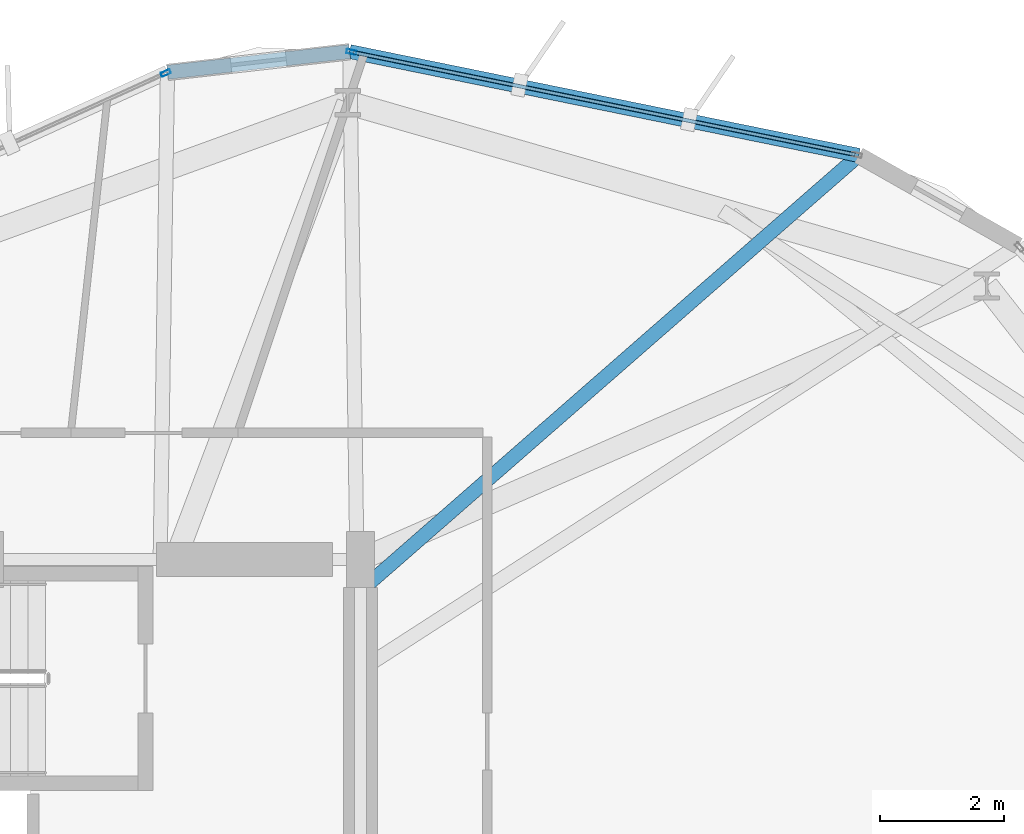
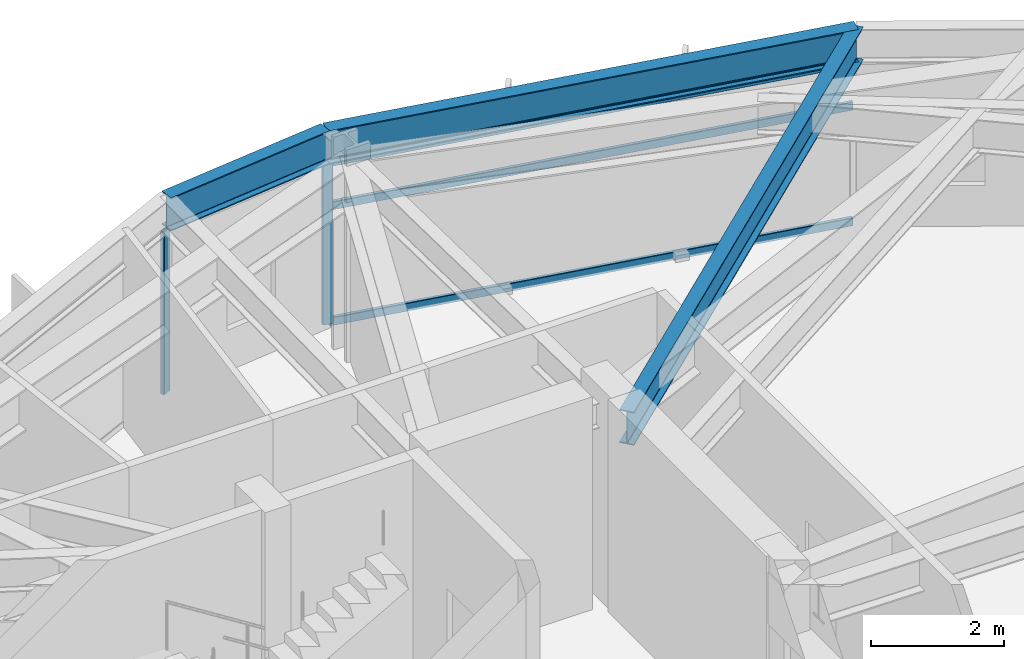
# One storey, part 15 of 23: 5 members, 3 beams, 2 elements without a shape of their own.
"""IFC4 building model written with IfcOpenShell, lengths in metres."""

from ifc_helpers import new_model, si_unit, direction, frame, origin, origin_2d, place, context, subcontext, project, spatial, hollow_rectangle, i_section, extrude, material, layer, layer_set, material_profile, profile_set, type_object, element, aggregate, save


model = new_model("IFC4")

# Units and contexts
model_context = context("Model", 3, precision=1e-05, world=origin(), true_north=direction((0.0, 1.0)))
body_context = subcontext(model_context, "Body", "Model", "MODEL_VIEW")
ifc_project = project(units=[si_unit("LENGTHUNIT", "METRE"), si_unit("AREAUNIT", "SQUARE_METRE"), si_unit("VOLUMEUNIT", "CUBIC_METRE"), si_unit("PLANEANGLEUNIT", "RADIAN"), si_unit("MASSUNIT", "GRAM", prefix="KILO")], contexts=[model_context])

# Site, building, storey
site_placement = place(None, origin())
site = spatial("IfcSite", under=ifc_project, at=site_placement, CompositionType="ELEMENT")
building_placement = place(site_placement, origin())
building = spatial("IfcBuilding", under=site, at=building_placement, Name="Soratama Intermodal Tower", CompositionType="ELEMENT")
storey_placement = place(building_placement, frame((0.0, 0.0, 122.5)))
storey = spatial("IfcBuildingStorey", under=building, at=storey_placement, Name="L29", CompositionType="ELEMENT", Elevation=122.5)

# Beams
ifc_material_1 = material(Name="Structural steel ASTM A992 Grade 50", Category="steel")
ifc_material_profile_1 = material_profile(ifc_material_1, i_section(OverallWidth=0.22900390625, OverallDepth=0.612060546875, WebThickness=0.011962890625, FlangeThickness=0.01953125, FilletRadius=0.012939453125, at=origin_2d()), Name="W24X84")
ifc_profile_set_1 = profile_set([ifc_material_profile_1], Name="Structural steel ASTM A992 Grade 50")
beam_type_1 = type_object("IfcBeamType", Name="BM-SPN-W24X84", PredefinedType="SPANDREL", material=ifc_profile_set_1)
beam_1_placement = place(storey_placement, frame((52.659912109375, 41.5380859375, 3.2939453125), z_axis=(-0.979846659387, 0.19975115541, 0.0), x_axis=(-0.19975115541, -0.979846659387, 0.0)))
element("IfcBeam", 1, at=beam_1_placement, inside=storey, type_object=beam_type_1, Name="BS-L29-F02", PredefinedType="SPANDREL", context=body_context, shape_type="SweptSolid", body=[
    extrude(i_section(OverallWidth=0.22900390625, OverallDepth=0.612060546875, WebThickness=0.011962890625, FlangeThickness=0.01953125, FilletRadius=0.012939453125, at=origin_2d()), origin(), (0.0, 0.0, 1.0), 8.4052734375),
])
beam_2_placement = place(storey_placement, frame((44.424072265625, 43.217041015625, 3.2939453125), z_axis=(-0.993606723354, -0.112896763929, 0.0), x_axis=(0.112896763929, -0.993606723354, 0.0)))
element("IfcBeam", 2, at=beam_2_placement, inside=storey, type_object=beam_type_1, Name="BS-L29-CRN02", PredefinedType="SPANDREL", context=body_context, shape_type="SweptSolid", body=[
    extrude(i_section(OverallWidth=0.22900390625, OverallDepth=0.612060546875, WebThickness=0.011962890625, FlangeThickness=0.01953125, FilletRadius=0.012939453125, at=origin_2d()), origin(), (0.0, 0.0, 1.0), 2.967041015625),
])
ifc_material_2 = material(Name="Structural steel ASTM A992 Grade 50", Category="steel")
ifc_material_profile_2 = material_profile(ifc_material_2, i_section(OverallWidth=0.22900390625, OverallDepth=0.612060546875, WebThickness=0.011962890625, FlangeThickness=0.01953125, FilletRadius=0.012939453125, at=origin_2d()), Name="W24X84")
ifc_profile_set_2 = profile_set([ifc_material_profile_2], Name="Structural steel ASTM A992 Grade 50")
beam_type_2 = type_object("IfcBeamType", Name="BM-TIE-W24X84", PredefinedType="BEAM", material=ifc_profile_set_2)
beam_3_placement = place(storey_placement, frame((44.6298828125, 34.52099609375, 3.2939453125), z_axis=(0.753003416727, 0.658016606475, 0.0), x_axis=(-0.658016606475, 0.753003416727, 0.0)))
element("IfcBeam", 3, at=beam_3_placement, inside=storey, type_object=beam_type_2, Name="BM-L29-TIE0-02", PredefinedType="BEAM", context=body_context, shape_type="SweptSolid", body=[
    extrude(i_section(OverallWidth=0.22900390625, OverallDepth=0.612060546875, WebThickness=0.011962890625, FlangeThickness=0.01953125, FilletRadius=0.012939453125, at=origin_2d()), origin(), (0.0, 0.0, 1.0), 10.6640625),
])

# Curtain wall, member
ifc_material_3 = material(Name="Double-glazed aluminium curtain wall", Category="aluminium")
ifc_layer = layer(ifc_material_3, 0.159912109375)
ifc_layer_set = layer_set([ifc_layer], Name="Double-glazed aluminium curtain wall")
curtain_wall_type = type_object("IfcCurtainWallType", Name="CW-SYS-3", PredefinedType="NOTDEFINED", material=ifc_layer_set)
curtain_wall_1_placement = place(storey_placement, origin())
curtain_wall_1 = element("IfcCurtainWall", 4, at=curtain_wall_1_placement, inside=storey, type_object=curtain_wall_type, Name="L29 Faceted Curtain Wall F02", PredefinedType="NOTDEFINED")
ifc_material_4 = material(Name="Anodised aluminium AA 6063-T6", Category="aluminium")
ifc_material_profile_3 = material_profile(ifc_material_4, hollow_rectangle(XDim=0.070068359375, YDim=0.159912109375, WallThickness=0.0048828125, InnerFilletRadius=0.0048828125, OuterFilletRadius=0.010009765625, at=origin_2d()), Name="CWM160X70X5")
ifc_profile_set_3 = profile_set([ifc_material_profile_3], Name="Anodised aluminium AA 6063-T6")
member_type_1 = type_object("IfcMemberType", Name="MT-CWM-3", PredefinedType="MULLION", material=ifc_profile_set_3)
member_1_placement = place(storey_placement, frame((44.453125, 43.21044921875, 0.0), z_axis=(0.0, 0.0, 1.0), x_axis=(-0.199709195068, -0.97985521247, 0.0)))
member_1 = element("IfcMember", 5, at=member_1_placement, type_object=member_type_1, Name="CW-3 mullion 2", PredefinedType="MULLION", context=body_context, shape_type="SweptSolid", body=[
    extrude(hollow_rectangle(XDim=0.070068359375, YDim=0.159912109375, WallThickness=0.0048828125, InnerFilletRadius=0.0048828125, OuterFilletRadius=0.010009765625, at=origin_2d()), origin(), (0.0, 0.0, 1.0), 2.97900390625),
])

curtain_wall_2_placement = place(storey_placement, origin())
curtain_wall_2 = element("IfcCurtainWall", 6, at=curtain_wall_2_placement, inside=storey, type_object=curtain_wall_type, Name="L29 Faceted Curtain Wall F03", PredefinedType="NOTDEFINED")
member_2_placement = place(storey_placement, frame((41.44873046875, 42.869384765625, 0.0), z_axis=(0.0, 0.0, 1.0), x_axis=(0.414381018039, -0.910103495153, 0.0)))
member_2 = element("IfcMember", 7, at=member_2_placement, type_object=member_type_1, Name="CW-3 mullion 1", PredefinedType="MULLION", context=body_context, shape_type="SweptSolid", body=[
    extrude(hollow_rectangle(XDim=0.070068359375, YDim=0.159912109375, WallThickness=0.0048828125, InnerFilletRadius=0.0048828125, OuterFilletRadius=0.010009765625, at=origin_2d()), origin(), (0.0, 0.0, 1.0), 2.97900390625),
])
aggregate(curtain_wall_2, [member_2])

# Member
ifc_material_5 = material(Name="Anodised aluminium AA 6063-T6", Category="aluminium")
ifc_material_profile_4 = material_profile(ifc_material_5, hollow_rectangle(XDim=0.06494140625, YDim=0.14990234375, WallThickness=0.0048828125, InnerFilletRadius=0.0048828125, OuterFilletRadius=0.010009765625, at=origin_2d()), Name="CWT150X65X5")
ifc_profile_set_4 = profile_set([ifc_material_profile_4], Name="Anodised aluminium AA 6063-T6")
member_type_2 = type_object("IfcMemberType", Name="TT-CWT-1", PredefinedType="USERDEFINED", material=ifc_profile_set_4)
member_3_placement = place(storey_placement, frame((52.600830078125, 41.5498046875, 0.030029296875), z_axis=(-0.979850925226, 0.199730228894, 0.0), x_axis=(-0.199730228894, -0.979850925226, 0.0)))
member_3 = element("IfcMember", 8, at=member_3_placement, type_object=member_type_2, Name="CW-3 transom 1.1", ObjectType="TRANSOM", PredefinedType="USERDEFINED", context=body_context, shape_type="SweptSolid", body=[
    extrude(hollow_rectangle(XDim=0.06494140625, YDim=0.14990234375, WallThickness=0.0048828125, InnerFilletRadius=0.0048828125, OuterFilletRadius=0.010009765625, at=origin_2d()), origin(), (0.0, 0.0, 1.0), 8.28515625),
])

member_4_placement = place(storey_placement, frame((52.600830078125, 41.5498046875, 2.14990234375), z_axis=(-0.979850925226, 0.199730228894, 0.0), x_axis=(-0.199730228894, -0.979850925226, 0.0)))
member_4 = element("IfcMember", 9, at=member_4_placement, type_object=member_type_2, Name="CW-3 transom 1.2", ObjectType="TRANSOM", PredefinedType="USERDEFINED", context=body_context, shape_type="SweptSolid", body=[
    extrude(hollow_rectangle(XDim=0.06494140625, YDim=0.14990234375, WallThickness=0.0048828125, InnerFilletRadius=0.0048828125, OuterFilletRadius=0.010009765625, at=origin_2d()), origin(), (0.0, 0.0, 1.0), 8.28515625),
])

member_5_placement = place(storey_placement, frame((52.600830078125, 41.5498046875, 2.948974609375), z_axis=(-0.979850925226, 0.199730228894, 0.0), x_axis=(-0.199730228894, -0.979850925226, 0.0)))
member_5 = element("IfcMember", 10, at=member_5_placement, type_object=member_type_2, Name="CW-3 transom 1.3", ObjectType="TRANSOM", PredefinedType="USERDEFINED", context=body_context, shape_type="SweptSolid", body=[
    extrude(hollow_rectangle(XDim=0.06494140625, YDim=0.14990234375, WallThickness=0.0048828125, InnerFilletRadius=0.0048828125, OuterFilletRadius=0.010009765625, at=origin_2d()), origin(), (0.0, 0.0, 1.0), 8.28515625),
])

aggregate(curtain_wall_1, [member_1, member_3, member_4, member_5])

save(model, "model.ifc")
